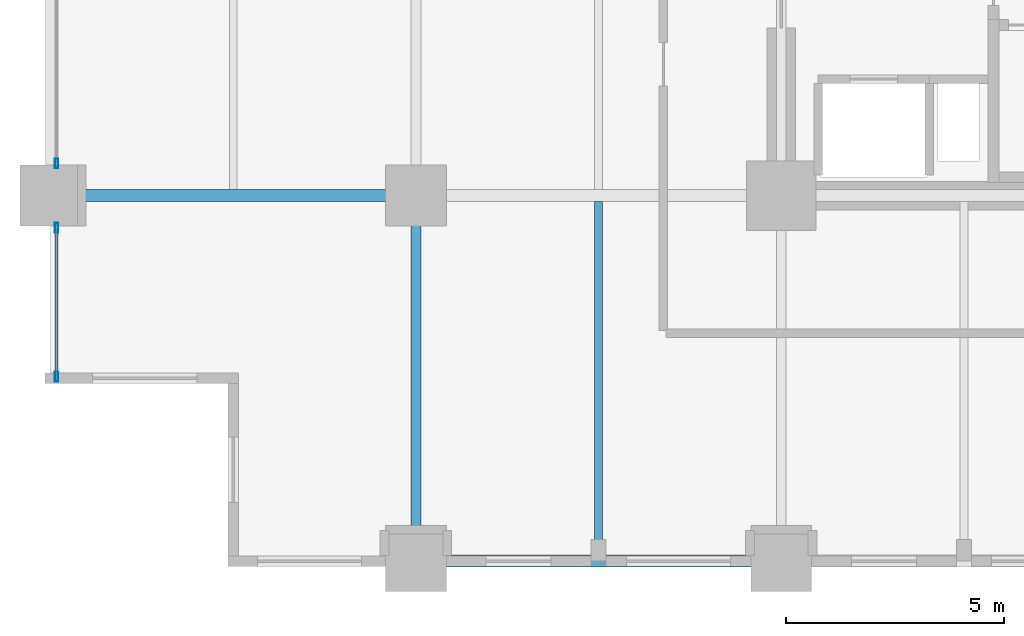
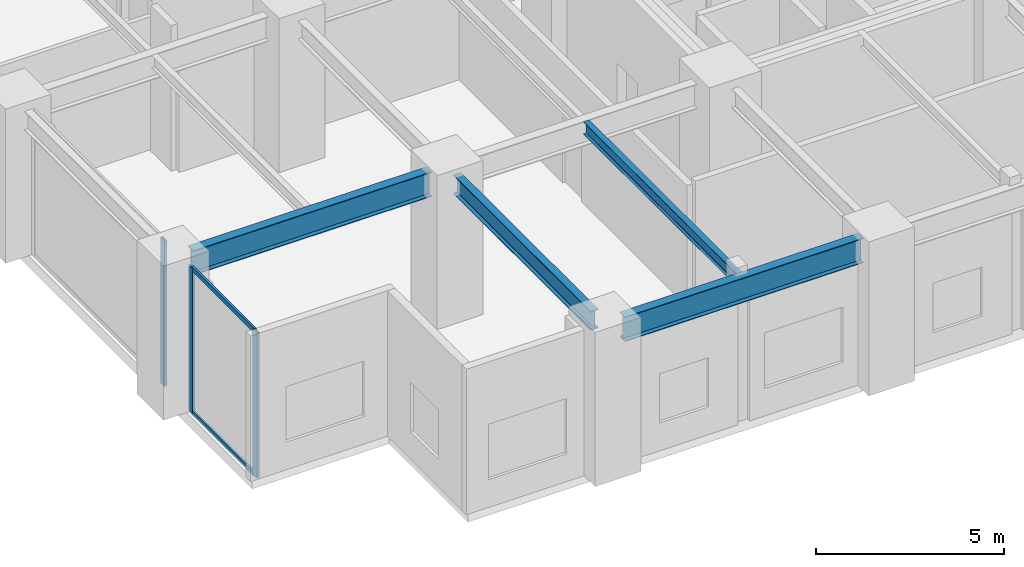
# One storey, part 2 of 21: 5 members, 4 beams, 2 elements without a shape of their own.
"""IFC4 building model written with IfcOpenShell, lengths in metres."""

import ifcopenshell
import ifcopenshell.guid

model = None  # the IFC model being written
_history = None  # IfcOwnerHistory: only IFC2X3 demands one
_inside = {}  # id of a spatial element -> (the spatial element, [elements in it])
_under = {}  # id of a project, library or spatial element -> (it, [spatial elements below it])
_declared = {}  # id of a project -> (the project, [libraries it declares])
_typed = {}  # id of a type object -> (the type object, [elements of that type])
_made_of = {}  # id of a material, layer set ... -> (it, [elements and type objects made of it])


def new_model(schema):
    """Start an empty IFC model of exactly this schema.

    Asked for "IFC4X3", IfcOpenShell would pick the latest addendum, in which some entities
    have other attributes; the version numbers below select the first issue.
    IFC2X3 requires an IfcOwnerHistory on every rooted entity: one is made here for all.
    """
    global model, _history
    if schema == "IFC4X3":
        model = ifcopenshell.file(schema_version=(4, 3, 0, 0))
    else:
        model = ifcopenshell.file(schema=schema)
    _inside.clear()
    _under.clear()
    _declared.clear()
    _typed.clear()
    _made_of.clear()
    _history = None
    if model.schema == "IFC2X3":
        org = make("IfcOrganization", Name="unknown")
        user = make(
            "IfcPersonAndOrganization",
            ThePerson=make("IfcPerson", FamilyName="unknown"),
            TheOrganization=org,
        )
        app = make(
            "IfcApplication",
            ApplicationDeveloper=org,
            Version="unknown",
            ApplicationFullName="unknown",
            ApplicationIdentifier="unknown",
        )
        _history = make(
            "IfcOwnerHistory",
            OwningUser=user,
            OwningApplication=app,
            ChangeAction="ADDED",
            CreationDate=0,
        )
    return model


def make(cls, **values):
    """One entity of the class cls with the attributes given. An attribute that is None is left unset."""
    return model.create_entity(
        cls, **{name: value for name, value in values.items() if value is not None}
    )


def rooted(cls, **values):
    """An entity with a GlobalId (a new one), such as an element, a storey or a relation."""
    return make(cls, GlobalId=ifcopenshell.guid.new(), OwnerHistory=_history, **values)


def si_unit(unit_type, name, prefix=None):
    """IfcSIUnit, for example si_unit("LENGTHUNIT", "METRE", prefix="MILLI")."""
    return make("IfcSIUnit", UnitType=unit_type, Prefix=prefix, Name=name)


def assignment(units):
    """IfcUnitAssignment: the units of a project."""
    return None if units is None else make("IfcUnitAssignment", Units=units)


def point(xyz):
    """IfcCartesianPoint."""
    return None if xyz is None else make("IfcCartesianPoint", Coordinates=xyz)


def direction(xyz):
    """IfcDirection."""
    return None if xyz is None else make("IfcDirection", DirectionRatios=xyz)


def frame(location, z_axis=None, x_axis=None):
    """IfcAxis2Placement3D, a coordinate frame: its origin and axes. An axis left out is left unset."""
    return make(
        "IfcAxis2Placement3D",
        Location=point(location),
        Axis=direction(z_axis),
        RefDirection=direction(x_axis),
    )


def frame_2d(location, x_axis=None):
    """IfcAxis2Placement2D, a coordinate frame in the plane: its origin and x axis."""
    return make(
        "IfcAxis2Placement2D", Location=point(location), RefDirection=direction(x_axis)
    )


def origin():
    """The frame at (0, 0, 0) with its axes left unset."""
    return frame((0.0, 0.0, 0.0))


def origin_2d():
    """The frame at (0, 0) in the plane with its x axis left unset."""
    return frame_2d((0.0, 0.0))


def place(relative_to, where):
    """IfcLocalPlacement: puts the frame where relative to a parent placement (None: the world)."""
    return make(
        "IfcLocalPlacement", PlacementRelTo=relative_to, RelativePlacement=where
    )


def context(
    kind, dimensions, precision=None, world=None, true_north=None, identifier=None
):
    """IfcGeometricRepresentationContext, for example the 3D "Model" context."""
    return make(
        "IfcGeometricRepresentationContext",
        ContextIdentifier=identifier,
        ContextType=kind,
        CoordinateSpaceDimension=dimensions,
        Precision=precision,
        WorldCoordinateSystem=world,
        TrueNorth=true_north,
    )


def subcontext(parent, identifier, kind, view, scale=None):
    """IfcGeometricRepresentationSubContext, for example "Body" below "Model"."""
    return make(
        "IfcGeometricRepresentationSubContext",
        ContextIdentifier=identifier,
        ContextType=kind,
        ParentContext=parent,
        TargetScale=scale,
        TargetView=view,
    )


def project(units=None, contexts=None):
    """IfcProject with its units and contexts."""
    return rooted(
        "IfcProject",
        Name="project",
        RepresentationContexts=contexts,
        UnitsInContext=assignment(units),
    )


def spatial(cls, under=None, at=None, **own):
    """A site, building, storey or space (cls), placed at a placement, below another one or the project."""
    s = rooted(cls, ObjectPlacement=at, **own)
    if under is not None:
        _under.setdefault(under.id(), (under, []))[1].append(s)
    return s


def profile(cls, at=None, kind="AREA", **sizes):
    """A parametric profile (cls). Its sizes go by their IFC names, for example OverallWidth=200.0."""
    return make(cls, ProfileType=kind, Position=at, **sizes)


def hollow_rectangle(**sizes):
    """IfcRectangleHollowProfileDef."""
    return profile("IfcRectangleHollowProfileDef", **sizes)


def i_section(**sizes):
    """IfcIShapeProfileDef."""
    return profile("IfcIShapeProfileDef", **sizes)


def extrude(swept, where, along, depth):
    """IfcExtrudedAreaSolid: the profile swept, set in the frame where, extruded along a direction by depth."""
    return make(
        "IfcExtrudedAreaSolid",
        SweptArea=swept,
        Position=where,
        ExtrudedDirection=direction(along),
        Depth=depth,
    )


def shape(context_of_items, identifier, shape_type, items):
    """IfcShapeRepresentation: the items that make up one representation, for example the "Body"."""
    return make(
        "IfcShapeRepresentation",
        ContextOfItems=context_of_items,
        RepresentationIdentifier=identifier,
        RepresentationType=shape_type,
        Items=items,
    )


def material(Name=None, Category=None):
    """IfcMaterial."""
    return make("IfcMaterial", Name=Name, Category=Category)


def layer(
    of_material, thickness, ventilated=None, Name=None, Category=None, Priority=None
):
    """IfcMaterialLayer: one layer of a wall or slab, of a material (None: an air gap)."""
    return make(
        "IfcMaterialLayer",
        Material=of_material,
        LayerThickness=thickness,
        IsVentilated=ventilated,
        Name=Name,
        Category=Category,
        Priority=Priority,
    )


def layer_set(layers, Name=None):
    """IfcMaterialLayerSet."""
    return make("IfcMaterialLayerSet", MaterialLayers=layers, LayerSetName=Name)


def material_profile(
    of_material, cross_section, Name=None, Category=None, Priority=None
):
    """IfcMaterialProfile: a cross section and its material."""
    return make(
        "IfcMaterialProfile",
        Name=Name,
        Material=of_material,
        Profile=cross_section,
        Priority=Priority,
        Category=Category,
    )


def profile_set(profiles, Name=None, composite=None):
    """IfcMaterialProfileSet."""
    return make(
        "IfcMaterialProfileSet",
        Name=Name,
        MaterialProfiles=profiles,
        CompositeProfile=composite,
    )


def made_of(thing, what):
    """Note that an element or type object is made of a material, layer set ...; save() writes the relation."""
    if what is not None:
        _made_of.setdefault(what.id(), (what, []))[1].append(thing)
    return thing


def type_object(cls, material=None, **own):
    """A type object (cls), such as IfcWallType, which elements share."""
    return made_of(rooted(cls, **own), material)


def element(
    cls,
    number,
    at=None,
    inside=None,
    cuts=None,
    type_object=None,
    material=None,
    context=None,
    identifier="Body",
    shape_type=None,
    held_by="IfcProductDefinitionShape",
    body=None,
    shapes=None,
    **own,
):
    """One element of the class cls, such as IfcWall. Its Tag is "e" and its number.

    at: its placement. inside: the storey or other place that contains it. cuts: it is an
    opening in that element (IfcRelVoidsElement). A single representation is given by context,
    identifier, shape_type and body (its items); several are given by shapes. held_by: the class
    of the entity that holds the representations. save() writes the other relations.
    """
    e = rooted(cls, Tag="e%d" % number, ObjectPlacement=at, **own)
    if body is not None:
        shapes = [shape(context, identifier, shape_type, body)]
    if shapes is not None:
        e.Representation = make(held_by, Representations=shapes)
    if inside is not None:
        _inside.setdefault(inside.id(), (inside, []))[1].append(e)
    if cuts is not None:
        rooted(
            "IfcRelVoidsElement", RelatingBuildingElement=cuts, RelatedOpeningElement=e
        )
    if type_object is not None:
        _typed.setdefault(type_object.id(), (type_object, []))[1].append(e)
    return made_of(e, material)


def aggregate(whole, parts):
    """IfcRelAggregates: a whole, such as a stair, and the parts it consists of."""
    return rooted("IfcRelAggregates", RelatingObject=whole, RelatedObjects=parts)


def save(model, path):
    """Write the relations noted so far, then the file.

    IfcRelAggregates (storeys below a building ...), IfcRelContainedInSpatialStructure (elements
    in a storey), IfcRelDefinesByType, IfcRelAssociatesMaterial and IfcRelDeclares: one each for
    every whole, place, type object, material and project.
    """
    for whole, parts in _under.values():
        aggregate(whole, parts)
    for where, things in _inside.values():
        rooted(
            "IfcRelContainedInSpatialStructure",
            RelatedElements=things,
            RelatingStructure=where,
        )
    for kind, things in _typed.values():
        rooted("IfcRelDefinesByType", RelatedObjects=things, RelatingType=kind)
    for what, things in _made_of.values():
        rooted("IfcRelAssociatesMaterial", RelatedObjects=things, RelatingMaterial=what)
    for by, libraries in _declared.values():
        rooted("IfcRelDeclares", RelatingContext=by, RelatedDefinitions=libraries)
    model.write(path)


model = new_model("IFC4")

# Units and contexts
model_context = context("Model", 3, precision=1e-05, world=origin(), true_north=direction((0.0, 1.0)))
body_context = subcontext(model_context, "Body", "Model", "MODEL_VIEW")
ifc_project = project(units=[si_unit("LENGTHUNIT", "METRE"), si_unit("AREAUNIT", "SQUARE_METRE"), si_unit("VOLUMEUNIT", "CUBIC_METRE"), si_unit("PLANEANGLEUNIT", "RADIAN"), si_unit("MASSUNIT", "GRAM", prefix="KILO")], contexts=[model_context])

# Site, building, storey
site_placement = place(None, origin())
site = spatial("IfcSite", under=ifc_project, at=site_placement, CompositionType="ELEMENT")
building_placement = place(site_placement, origin())
building = spatial("IfcBuilding", under=site, at=building_placement, Name="Nerrivon Quay Data Exchange", CompositionType="ELEMENT")
storey_placement = place(building_placement, frame((0.0, 0.0, 19.800048828125)))
storey = spatial("IfcBuildingStorey", under=building, at=storey_placement, Name="L04", CompositionType="ELEMENT", Elevation=19.800048828125)

# Beams
ifc_material_1 = material(Name="Steel Grade 350", Category="steel")
ifc_material_profile_1 = material_profile(ifc_material_1, i_section(OverallWidth=0.22900390625, OverallDepth=0.612060546875, WebThickness=0.011962890625, FlangeThickness=0.01953125, FilletRadius=0.013916015625, at=origin_2d()), Name="610UB125")
ifc_profile_set_1 = profile_set([ifc_material_profile_1], Name="Steel Grade 350")
beam_type_1 = type_object("IfcBeamType", Name="BM-G1-610UB125", PredefinedType="BEAM", material=ifc_profile_set_1)
beam_1_placement = place(storey_placement, frame((8.39990234375, 0.5400390625, 4.4189453125), z_axis=(0.0, 1.0, 0.0), x_axis=(-1.0, 0.0, 0.0)))
element("IfcBeam", 1, at=beam_1_placement, inside=storey, type_object=beam_type_1, Name="L04 NS Girder X=8.4 (0.0..8.4)", PredefinedType="BEAM", context=body_context, shape_type="SweptSolid", body=[
    extrude(i_section(OverallWidth=0.22900390625, OverallDepth=0.612060546875, WebThickness=0.011962890625, FlangeThickness=0.01953125, FilletRadius=0.013916015625, at=origin_2d()), origin(), (0.0, 0.0, 1.0), 7.320068359375),
])
ifc_material_profile_2 = material_profile(ifc_material_1, i_section(OverallWidth=0.27490234375, OverallDepth=0.800048828125, WebThickness=0.010009765625, FlangeThickness=0.02001953125, at=origin_2d()), Name="800WB146")
ifc_profile_set_2 = profile_set([ifc_material_profile_2], Name="Steel Grade 350")
beam_type_2 = type_object("IfcBeamType", Name="BM-G8-800WB146", PredefinedType="BEAM", material=ifc_profile_set_2)
for number, where, z_axis, x_axis, name in (
    (2, (8.93994140625, 0.0, 4.324951171875), (1.0, 0.0, 0.0), (0.0, 1.0, 0.0), "L04 EW Girder Y=0.0 (8.4..16.8)"),
    (3, (0.5400390625, 8.39990234375, 4.324951171875), (1.0, 0.0, 0.0), (0.0, 1.0, 0.0), "L04 EW Girder Y=8.4 (0.0..8.4)"),
):
    element("IfcBeam", number, at=place(storey_placement, frame(where, z_axis=z_axis, x_axis=x_axis)), inside=storey, type_object=beam_type_2, Name=name, PredefinedType="BEAM", context=body_context, shape_type="SweptSolid", body=[
        extrude(i_section(OverallWidth=0.27490234375, OverallDepth=0.800048828125, WebThickness=0.010009765625, FlangeThickness=0.02001953125, at=origin_2d()), origin(), (0.0, 0.0, 1.0), 7.320068359375),
    ])
ifc_material_profile_3 = material_profile(ifc_material_1, i_section(OverallWidth=0.177978515625, OverallDepth=0.403076171875, WebThickness=0.007568359375, FlangeThickness=0.010986328125, FilletRadius=0.011474609375, at=origin_2d()), Name="410UB53.7")
ifc_profile_set_3 = profile_set([ifc_material_profile_3], Name="Steel Grade 350")
beam_type_3 = type_object("IfcBeamType", Name="BM-J2-410UB54", PredefinedType="JOIST", material=ifc_profile_set_3)
beam_2_placement = place(storey_placement, frame((12.60009765625, 0.137451171875, 4.5234375), z_axis=(0.0, 1.0, 0.0), x_axis=(-1.0, 0.0, 0.0)))
element("IfcBeam", 4, at=beam_2_placement, inside=storey, type_object=beam_type_3, Name="L04 Secondary Joist X=12.6 (0.0..8.4)", PredefinedType="JOIST", context=body_context, shape_type="SweptSolid", body=[
    extrude(i_section(OverallWidth=0.177978515625, OverallDepth=0.403076171875, WebThickness=0.007568359375, FlangeThickness=0.010986328125, FilletRadius=0.011474609375, at=origin_2d()), origin(), (0.0, 0.0, 1.0), 8.125),
])

# Curtain wall, members
ifc_material_2 = material(Name="Anodised aluminium 6063-T6", Category="aluminium")
ifc_layer = layer(ifc_material_2, 0.239990234375)
ifc_layer_set = layer_set([ifc_layer], Name="Anodised aluminium 6063-T6")
curtain_wall_type = type_object("IfcCurtainWallType", Name="CW-SYS-03", PredefinedType="NOTDEFINED", material=ifc_layer_set)
curtain_wall_1_placement = place(storey_placement, origin())
curtain_wall_1 = element("IfcCurtainWall", 5, at=curtain_wall_1_placement, inside=storey, type_object=curtain_wall_type, Name="L04 Unitised Curtain Wall 13", PredefinedType="NOTDEFINED")
ifc_material_profile_4 = material_profile(ifc_material_2, hollow_rectangle(XDim=0.074951171875, YDim=0.219970703125, WallThickness=0.00390625, at=origin_2d()), Name="ALU-MULL-220x75")
ifc_profile_set_4 = profile_set([ifc_material_profile_4], Name="Anodised aluminium 6063-T6")
member_type_1 = type_object("IfcMemberType", Name="CWM-220x75", PredefinedType="MULLION", material=ifc_profile_set_4)
member_1_placement = place(storey_placement, frame((0.139892578125, 4.237548828125, 0.0), z_axis=(0.0, 0.0, 1.0), x_axis=(-1.0, 0.0, 0.0)))
member_1 = element("IfcMember", 6, at=member_1_placement, type_object=member_type_1, Name="CW03 mullion 1", PredefinedType="MULLION", context=body_context, shape_type="SweptSolid", body=[
    extrude(hollow_rectangle(XDim=0.074951171875, YDim=0.219970703125, WallThickness=0.00390625, at=origin_2d()), origin(), (0.0, 0.0, 1.0), 4.724853515625),
])
member_2_placement = place(storey_placement, frame((0.139892578125, 7.66259765625, 0.0), z_axis=(0.0, 0.0, 1.0), x_axis=(-1.0, 0.0, 0.0)))
member_2 = element("IfcMember", 7, at=member_2_placement, type_object=member_type_1, Name="CW03 mullion 2", PredefinedType="MULLION", context=body_context, shape_type="SweptSolid", body=[
    extrude(hollow_rectangle(XDim=0.074951171875, YDim=0.219970703125, WallThickness=0.00390625, at=origin_2d()), origin(), (0.0, 0.0, 1.0), 4.724853515625),
])

# Curtain wall, member
curtain_wall_2_placement = place(storey_placement, origin())
curtain_wall_2 = element("IfcCurtainWall", 8, at=curtain_wall_2_placement, inside=storey, type_object=curtain_wall_type, Name="L04 Unitised Curtain Wall 14", PredefinedType="NOTDEFINED")
member_3_placement = place(storey_placement, frame((0.139892578125, 9.137451171875, 0.0), z_axis=(0.0, 0.0, 1.0), x_axis=(-1.0, 0.0, 0.0)))
member_3 = element("IfcMember", 9, at=member_3_placement, type_object=member_type_1, Name="CW03 mullion 1", PredefinedType="MULLION", context=body_context, shape_type="SweptSolid", body=[
    extrude(hollow_rectangle(XDim=0.074951171875, YDim=0.219970703125, WallThickness=0.00390625, at=origin_2d()), origin(), (0.0, 0.0, 1.0), 4.724853515625),
])
aggregate(curtain_wall_2, [member_3])

# Member
ifc_material_profile_5 = material_profile(ifc_material_2, hollow_rectangle(XDim=0.06494140625, YDim=0.14990234375, WallThickness=0.00341796875, at=origin_2d()), Name="ALU-TRAN-150x65")
ifc_profile_set_5 = profile_set([ifc_material_profile_5], Name="Anodised aluminium 6063-T6")
member_type_2 = type_object("IfcMemberType", Name="CWT-150x65", PredefinedType="USERDEFINED", material=ifc_profile_set_5)
member_4_placement = place(storey_placement, frame((0.139892578125, 4.27490234375, 0.032470703125), z_axis=(0.0, 1.0, 0.0), x_axis=(-1.0, 0.0, 0.0)))
member_4 = element("IfcMember", 10, at=member_4_placement, type_object=member_type_2, Name="CW03 transom 1.1", ObjectType="TRANSOM", PredefinedType="USERDEFINED", context=body_context, shape_type="SweptSolid", body=[
    extrude(hollow_rectangle(XDim=0.06494140625, YDim=0.14990234375, WallThickness=0.00341796875, at=origin_2d()), origin(), (0.0, 0.0, 1.0), 3.35009765625),
])

member_5_placement = place(storey_placement, frame((0.139892578125, 4.27490234375, 4.6923828125), z_axis=(0.0, 1.0, 0.0), x_axis=(-1.0, 0.0, 0.0)))
member_5 = element("IfcMember", 11, at=member_5_placement, type_object=member_type_2, Name="CW03 transom 1.2", ObjectType="TRANSOM", PredefinedType="USERDEFINED", context=body_context, shape_type="SweptSolid", body=[
    extrude(hollow_rectangle(XDim=0.06494140625, YDim=0.14990234375, WallThickness=0.00341796875, at=origin_2d()), origin(), (0.0, 0.0, 1.0), 3.35009765625),
])

aggregate(curtain_wall_1, [member_1, member_2, member_4, member_5])

save(model, "model.ifc")
